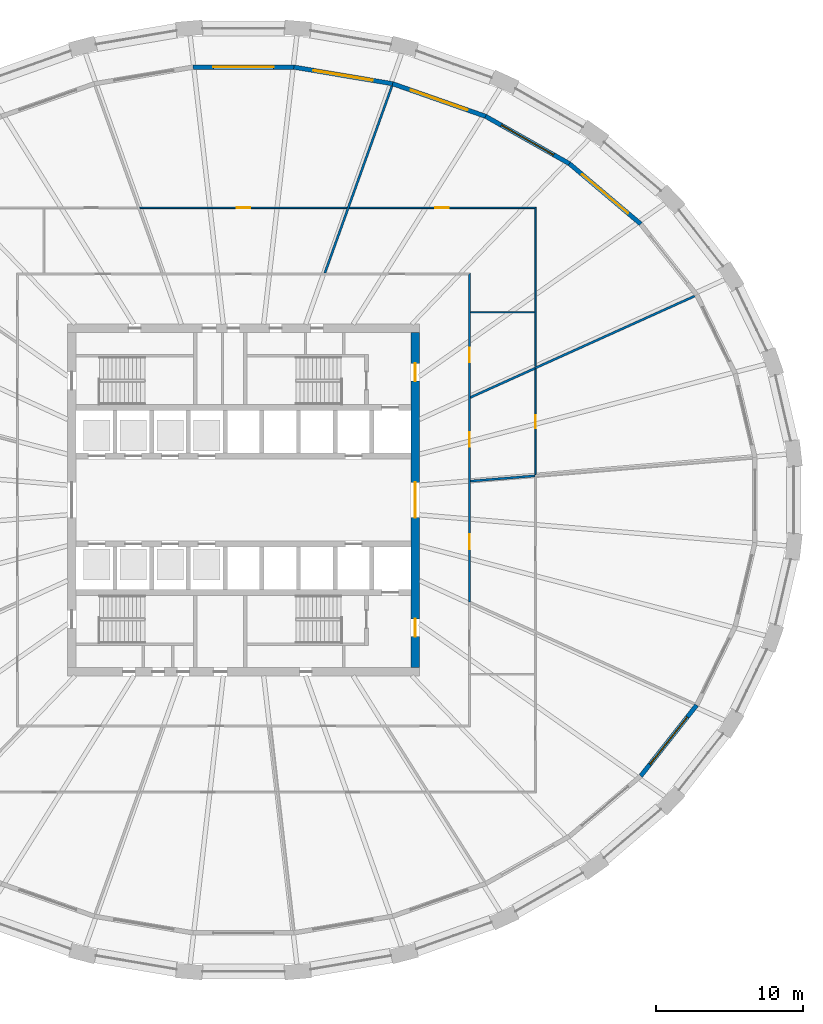
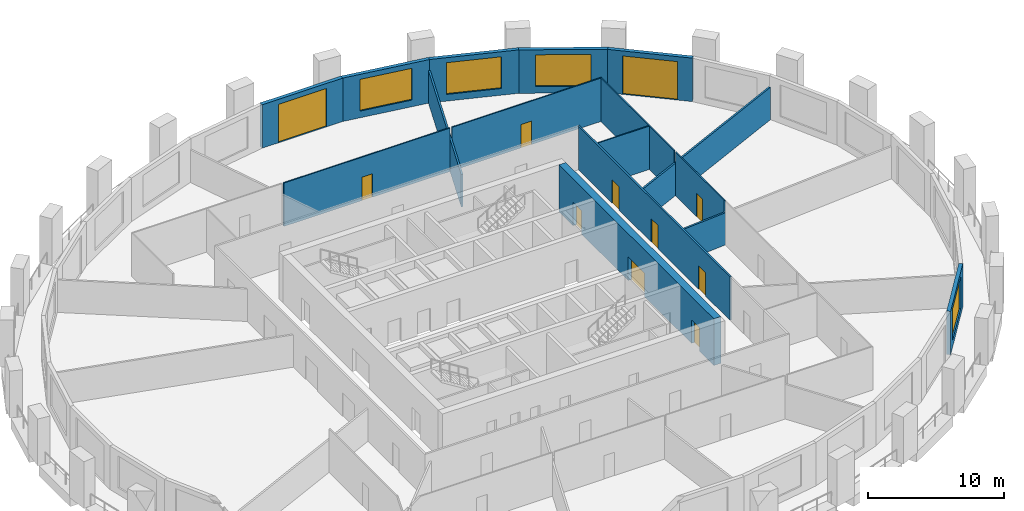
# One storey, part 7 of 11: 17 walls, 11 doors, 4 windows, 15 openings.
"""IFC4 building model written with IfcOpenShell, lengths in metres."""

from ifc_helpers import new_model, si_unit, direction, frame, frame_2d, origin, place, context, subcontext, project, spatial, polyline, rectangle, outline, extrude, material, layer, layer_set, type_object, element, fill, save


model = new_model("IFC4")

# Units and contexts
model_context = context("Model", 3, precision=1e-05, world=origin(), true_north=direction((0.0, 1.0)))
body_context = subcontext(model_context, "Body", "Model", "MODEL_VIEW")
ifc_project = project(units=[si_unit("LENGTHUNIT", "METRE"), si_unit("AREAUNIT", "SQUARE_METRE"), si_unit("VOLUMEUNIT", "CUBIC_METRE"), si_unit("PLANEANGLEUNIT", "RADIAN"), si_unit("MASSUNIT", "GRAM", prefix="KILO")], contexts=[model_context])

# Site, building, storey
site_placement = place(None, origin())
site = spatial("IfcSite", under=ifc_project, at=site_placement, CompositionType="ELEMENT")
building_placement = place(site_placement, origin())
building = spatial("IfcBuilding", under=site, at=building_placement, Name="Halqa Exchange Tower", CompositionType="ELEMENT")
storey_placement = place(building_placement, frame((0.0, 0.0, 36.10009765625)))
storey = spatial("IfcBuildingStorey", under=building, at=storey_placement, Name="L07", CompositionType="ELEMENT", Elevation=36.10009765625)

# Wall
ifc_material_1 = material(Name="Fire-rated gypsum board")
ifc_layer_1 = layer(ifc_material_1, 0.14990234375)
ifc_layer_set_1 = layer_set([ifc_layer_1], Name="Fire-rated gypsum board")
wall_type_1 = type_object("IfcWallType", Name="Fire partition EI 60 150", PredefinedType="PARTITIONING", material=ifc_layer_set_1)
wall_1_placement = place(storey_placement, frame((5.537841796875, 15.449951171875, 0.0), z_axis=(0.0, 0.0, 1.0), x_axis=(0.337949016046, 0.941164418448, 0.0)))
element("IfcWall", 1, at=wall_1_placement, inside=storey, type_object=wall_type_1, Name="L07-PWL-021", PredefinedType="PARTITIONING", context=body_context, shape_type="SweptSolid", body=[
    extrude(outline(polyline([(0.053466796875, -0.074951171875), (1.6376953125, -0.074951171875), (3.2216796875, -0.074951171875), (4.805908203125, -0.074951171875), (4.80810546875, -0.07421875), (4.808349609375, -0.074951171875), (6.55810546875, -0.074951171875), (8.3076171875, -0.074951171875), (10.057373046875, -0.074951171875), (11.80712890625, -0.074951171875), (13.556884765625, -0.074951171875), (13.556884765625, -0.067626953125), (13.556396484375, 0.00048828125), (13.54296875, 0.074951171875), (11.78515625, 0.074951171875), (10.027587890625, 0.074951171875), (8.269775390625, 0.074951171875), (6.511962890625, 0.074951171875), (4.754150390625, 0.074951171875), (4.660400390625, 0.041259765625), (4.648193359375, 0.074951171875), (3.098876953125, 0.074951171875), (1.54931640625, 0.074951171875), (0.0, 0.074951171875), (0.0, 0.07421875), (0.053466796875, -0.074951171875)])), origin(), (0.0, 0.0, 1.0), 2.909912109375),
])

# Wall, openings, doors
wall_2_placement = place(storey_placement, frame((15.39990234375, -6.9599609375, 0.0), z_axis=(0.0, 0.0, 1.0), x_axis=(0.0, 1.0, 0.0)))
wall_2 = element("IfcWall", 2, at=wall_2_placement, inside=storey, type_object=wall_type_1, Name="L07-PWL-027", PredefinedType="PARTITIONING", context=body_context, shape_type="SweptSolid", body=[
    extrude(outline(polyline([(0.0, -0.074951171875), (1.86962890625, -0.074951171875), (3.7392578125, -0.074951171875), (5.608642578125, -0.074951171875), (7.478271484375, -0.074951171875), (9.347900390625, -0.074951171875), (11.21728515625, -0.074951171875), (13.0869140625, -0.074951171875), (14.95654296875, -0.074951171875), (16.826171875, -0.074951171875), (18.69580078125, -0.074951171875), (20.565185546875, -0.074951171875), (22.434814453125, -0.074951171875), (22.284912109375, 0.074951171875), (20.427734375, 0.074951171875), (18.57080078125, 0.074951171875), (16.713623046875, 0.074951171875), (14.856689453125, 0.074951171875), (12.99951171875, 0.074951171875), (11.142578125, 0.074951171875), (9.285400390625, 0.074951171875), (7.42822265625, 0.074951171875), (5.5712890625, 0.074951171875), (3.714111328125, 0.074951171875), (1.857177734375, 0.074951171875), (0.0, 0.074951171875), (0.0, -0.074951171875)])), origin(), (0.0, 0.0, 1.0), 3.89990234375),
])
opening_1_placement = place(wall_2_placement, frame((3.6201171875, 0.0, 0.0)))
opening_1 = element("IfcOpeningElement", 3, at=opening_1_placement, cuts=wall_2, Name="Opening 02-12", PredefinedType="OPENING", context=body_context, shape_type="SweptSolid", body=[
    extrude(rectangle(XDim=1.0, YDim=2.10009765625, at=frame_2d((0.5, 1.050048828125))), frame((0.0, 0.0869140625, 0.0), z_axis=(0.0, -1.0, 0.0), x_axis=(1.0, 0.0, 0.0)), (0.0, 0.0, 1.0), 0.173828125),
])
opening_2_placement = place(wall_2_placement, frame((10.580078125, 0.0, 0.0)))
opening_2 = element("IfcOpeningElement", 4, at=opening_2_placement, cuts=wall_2, Name="Opening 02-13", PredefinedType="OPENING", context=body_context, shape_type="SweptSolid", body=[
    extrude(rectangle(XDim=1.0, YDim=2.10009765625, at=frame_2d((0.5, 1.050048828125))), frame((0.0, 0.0869140625, 0.0), z_axis=(0.0, -1.0, 0.0), x_axis=(1.0, 0.0, 0.0)), (0.0, 0.0, 1.0), 0.173828125),
])
opening_3_placement = place(wall_2_placement, frame((16.3349609375, 0.0, 0.0)))
opening_3 = element("IfcOpeningElement", 5, at=opening_3_placement, cuts=wall_2, Name="Opening 02-15", PredefinedType="OPENING", context=body_context, shape_type="SweptSolid", body=[
    extrude(rectangle(XDim=1.0, YDim=2.10009765625, at=frame_2d((0.5, 1.050048828125))), frame((0.0, 0.0869140625, 0.0), z_axis=(0.0, -1.0, 0.0), x_axis=(1.0, 0.0, 0.0)), (0.0, 0.0, 1.0), 0.173828125),
])
ifc_material_2 = material(Name="Steel fire door leaf", Category="steel")
door_type_1 = type_object("IfcDoorType", Name="Fire door FD30S 1000 x 2100", OperationType="SINGLE_SWING_LEFT", PredefinedType="DOOR", material=ifc_material_2)
door_1_placement = place(opening_1_placement, frame((1.0, 0.0, 0.0), z_axis=(0.0, 0.0, 1.0), x_axis=(-1.0, 0.0, 0.0)))
door_1 = element("IfcDoor", 6, at=door_1_placement, inside=storey, type_object=door_type_1, Name="L07-IDR-012", OperationType="SINGLE_SWING_LEFT", OverallHeight=2.10009765625, OverallWidth=1.0, PredefinedType="DOOR", context=body_context, shape_type="SweptSolid", body=[
    extrude(rectangle(XDim=1.0, YDim=2.10009765625, at=frame_2d((0.5, 1.050048828125))), frame((0.0, 0.02490234375, 0.0), z_axis=(0.0, -1.0, 0.0), x_axis=(1.0, 0.0, 0.0)), (0.0, 0.0, 1.0), 0.050048828125),
])
fill(opening_1, door_1)
door_2_placement = place(opening_2_placement, frame((1.0, 0.0, 0.0), z_axis=(0.0, 0.0, 1.0), x_axis=(-1.0, 0.0, 0.0)))
door_2 = element("IfcDoor", 7, at=door_2_placement, inside=storey, type_object=door_type_1, Name="L07-IDR-013", OperationType="SINGLE_SWING_LEFT", OverallHeight=2.10009765625, OverallWidth=1.0, PredefinedType="DOOR", context=body_context, shape_type="SweptSolid", body=[
    extrude(rectangle(XDim=1.0, YDim=2.10009765625, at=frame_2d((0.5, 1.050048828125))), frame((0.0, 0.02490234375, 0.0), z_axis=(0.0, -1.0, 0.0), x_axis=(1.0, 0.0, 0.0)), (0.0, 0.0, 1.0), 0.050048828125),
])
fill(opening_2, door_2)
door_3_placement = place(opening_3_placement, frame((1.0, 0.0, 0.0), z_axis=(0.0, 0.0, 1.0), x_axis=(-1.0, 0.0, 0.0)))
door_3 = element("IfcDoor", 8, at=door_3_placement, inside=storey, type_object=door_type_1, Name="L07-IDR-015", OperationType="SINGLE_SWING_RIGHT", OverallHeight=2.10009765625, OverallWidth=1.0, PredefinedType="DOOR", context=body_context, shape_type="SweptSolid", body=[
    extrude(rectangle(XDim=1.0, YDim=2.10009765625, at=frame_2d((0.5, 1.050048828125))), frame((0.0, 0.02490234375, 0.0), z_axis=(0.0, -1.0, 0.0), x_axis=(1.0, 0.0, 0.0)), (0.0, 0.0, 1.0), 0.050048828125),
])
fill(opening_3, door_3)

# Walls
wall_3_placement = place(storey_placement, frame((15.46923828125, 1.28564453125, 0.0), z_axis=(0.0, 0.0, 1.0), x_axis=(0.996634800256, 0.081969963512, 0.0)))
element("IfcWall", 9, at=wall_3_placement, inside=storey, type_object=wall_type_1, Name="L07-PWL-029", PredefinedType="PARTITIONING", context=body_context, shape_type="SweptSolid", body=[
    extrude(outline(polyline([(0.0, -0.074951171875), (1.463134765625, -0.074951171875), (2.92626953125, -0.074951171875), (4.389404296875, -0.074951171875), (4.389404296875, -0.07470703125), (4.392578125, -0.074951171875), (4.396240234375, -0.074951171875), (4.396240234375, 0.074951171875), (2.934814453125, 0.074951171875), (1.473388671875, 0.074951171875), (0.011962890625, 0.074951171875), (0.0, -0.0703125), (0.0, -0.074951171875)])), origin(), (0.0, 0.0, 1.0), 2.891845703125),
])
wall_4_placement = place(storey_placement, frame((15.444091796875, 6.97998046875, 0.0), z_axis=(0.0, 0.0, 1.0), x_axis=(0.911543776443, 0.411203044285, 0.0)))
element("IfcWall", 10, at=wall_4_placement, inside=storey, type_object=wall_type_1, Name="L07-PWL-030", PredefinedType="PARTITIONING", context=body_context, shape_type="SweptSolid", body=[
    extrude(outline(polyline([(0.0, -0.074951171875), (1.599853515625, -0.074951171875), (3.19970703125, -0.074951171875), (4.799560546875, -0.074951171875), (4.800048828125, -0.07373046875), (4.802490234375, -0.074951171875), (4.84228515625, -0.074951171875), (4.84228515625, 0.074951171875), (3.250732421875, 0.074951171875), (1.6591796875, 0.074951171875), (0.067626953125, 0.074951171875), (0.0, -0.074951171875)])), origin(), (0.0, 0.0, 1.0), 2.909912109375),
])
wall_5_placement = place(storey_placement, frame((19.8544921875, 8.9794921875, 0.0), z_axis=(0.0, 0.0, 1.0), x_axis=(0.911433390516, 0.411447657245, 0.0)))
element("IfcWall", 11, at=wall_5_placement, inside=storey, type_object=wall_type_1, Name="L07-PWL-039", PredefinedType="PARTITIONING", context=body_context, shape_type="SweptSolid", body=[
    extrude(outline(polyline([(11.947998046875, -0.074951171875), (11.947998046875, -0.06298828125), (11.946044921875, 0.00146484375), (11.927490234375, 0.074951171875), (9.962646484375, 0.074951171875), (7.998046875, 0.074951171875), (6.033203125, 0.074951171875), (4.068359375, 0.074951171875), (2.103515625, 0.074951171875), (0.138671875, 0.074951171875), (0.1376953125, 0.07275390625), (0.1328125, 0.074951171875), (0.0, 0.074951171875), (0.0, -0.043212890625), (0.070068359375, -0.074951171875), (2.0498046875, -0.074951171875), (4.029296875, -0.074951171875), (6.009033203125, -0.074951171875), (7.98876953125, -0.074951171875), (9.96826171875, -0.074951171875), (11.947998046875, -0.074951171875)])), origin(), (0.0, 0.0, 1.0), 2.909912109375),
])

# Wall, opening, door
ifc_material_3 = material(Name="Gypsum board")
ifc_layer_2 = layer(ifc_material_3, 0.10009765625)
ifc_layer_set_2 = layer_set([ifc_layer_2], Name="Gypsum board")
wall_type_2 = type_object("IfcWallType", Name="Partition 100 gypsum", PredefinedType="PARTITIONING", material=ifc_layer_set_2)
wall_6_placement = place(storey_placement, frame((-7.073974609375, 19.89990234375, 0.0), z_axis=(0.0, 0.0, 1.0), x_axis=(1.0, 0.0, 0.0)))
wall_6 = element("IfcWall", 12, at=wall_6_placement, inside=storey, type_object=wall_type_2, Name="L07-PWL-017", PredefinedType="PARTITIONING", context=body_context, shape_type="SweptSolid", body=[
    extrude(outline(polyline([(0.035888671875, -0.050048828125), (1.79541015625, -0.050048828125), (3.554931640625, -0.050048828125), (5.314453125, -0.050048828125), (7.073974609375, -0.050048828125), (8.83349609375, -0.050048828125), (10.593017578125, -0.050048828125), (12.3525390625, -0.050048828125), (14.112060546875, -0.050048828125), (14.14794921875, 0.050048828125), (14.14794921875, 0.050048828125), (12.37939453125, 0.050048828125), (10.61083984375, 0.050048828125), (8.842529296875, 0.050048828125), (7.073974609375, 0.050048828125), (5.305419921875, 0.050048828125), (3.537109375, 0.050048828125), (1.7685546875, 0.050048828125), (0.0, 0.050048828125), (0.0, 0.050048828125), (0.035888671875, -0.050048828125)])), origin(), (0.0, 0.0, 1.0), 3.89990234375),
])
opening_4_placement = place(wall_6_placement, frame((6.6240234375, 0.0, 0.0)))
opening_4 = element("IfcOpeningElement", 13, at=opening_4_placement, cuts=wall_6, Name="Opening 02-26", PredefinedType="OPENING", context=body_context, shape_type="SweptSolid", body=[
    extrude(rectangle(XDim=0.89990234375, YDim=2.10009765625, at=frame_2d((0.449951171875, 1.050048828125))), frame((0.0, 0.06201171875, 0.0), z_axis=(0.0, -1.0, 0.0), x_axis=(1.0, 0.0, 0.0)), (0.0, 0.0, 1.0), 0.1240234375),
])
ifc_material_4 = material(Name="Timber door leaf", Category="wood")
door_type_2 = type_object("IfcDoorType", Name="Door 900 x 2100", OperationType="SINGLE_SWING_LEFT", PredefinedType="DOOR", material=ifc_material_4)
door_4_placement = place(opening_4_placement, frame((0.89990234375, 0.0, 0.0), z_axis=(0.0, 0.0, 1.0), x_axis=(-1.0, 0.0, 0.0)))
door_4 = element("IfcDoor", 14, at=door_4_placement, inside=storey, type_object=door_type_2, Name="L07-IDR-026", OperationType="SINGLE_SWING_LEFT", OverallHeight=2.10009765625, OverallWidth=0.89990234375, PredefinedType="DOOR", context=body_context, shape_type="SweptSolid", body=[
    extrude(rectangle(XDim=0.89990234375, YDim=2.10009765625, at=frame_2d((0.449951171875, 1.050048828125))), frame((0.0, 0.02490234375, 0.0), z_axis=(0.0, -1.0, 0.0), x_axis=(1.0, 0.0, 0.0)), (0.0, 0.0, 1.0), 0.050048828125),
])
fill(opening_4, door_4)

wall_7_placement = place(storey_placement, frame((7.197998046875, 19.89990234375, 0.0), z_axis=(0.0, 0.0, 1.0), x_axis=(1.0, 0.0, 0.0)))
wall_7 = element("IfcWall", 15, at=wall_7_placement, inside=storey, type_object=wall_type_2, Name="L07-PWL-022", PredefinedType="PARTITIONING", context=body_context, shape_type="SweptSolid", body=[
    extrude(outline(polyline([(0.0, -0.050048828125), (1.807373046875, -0.050048828125), (3.61474609375, -0.050048828125), (5.422119140625, -0.050048828125), (7.229736328125, -0.050048828125), (9.037109375, -0.050048828125), (10.844482421875, -0.050048828125), (12.65185546875, -0.050048828125), (12.652099609375, -0.0498046875), (12.751953125, 0.050048828125), (10.935302734375, 0.050048828125), (9.11865234375, 0.050048828125), (7.302001953125, 0.050048828125), (5.4853515625, 0.050048828125), (3.668701171875, 0.050048828125), (1.85205078125, 0.050048828125), (0.035400390625, 0.050048828125), (0.0, -0.048583984375), (0.0, -0.050048828125)])), origin(), (0.0, 0.0, 1.0), 3.89990234375),
])
opening_5_placement = place(wall_7_placement, frame((5.8720703125, 0.0, 0.0)))
opening_5 = element("IfcOpeningElement", 16, at=opening_5_placement, cuts=wall_7, Name="Opening 02-25", PredefinedType="OPENING", context=body_context, shape_type="SweptSolid", body=[
    extrude(rectangle(XDim=0.89990234375, YDim=2.10009765625, at=frame_2d((0.449951171875, 1.050048828125))), frame((0.0, 0.06201171875, 0.0), z_axis=(0.0, -1.0, 0.0), x_axis=(1.0, 0.0, 0.0)), (0.0, 0.0, 1.0), 0.1240234375),
])
door_5_placement = place(opening_5_placement, frame((0.89990234375, 0.0, 0.0), z_axis=(0.0, 0.0, 1.0), x_axis=(-1.0, 0.0, 0.0)))
door_5 = element("IfcDoor", 17, at=door_5_placement, inside=storey, type_object=door_type_2, Name="L07-IDR-025", OperationType="SINGLE_SWING_LEFT", OverallHeight=2.10009765625, OverallWidth=0.89990234375, PredefinedType="DOOR", context=body_context, shape_type="SweptSolid", body=[
    extrude(rectangle(XDim=0.89990234375, YDim=2.10009765625, at=frame_2d((0.449951171875, 1.050048828125))), frame((0.0, 0.02490234375, 0.0), z_axis=(0.0, -1.0, 0.0), x_axis=(1.0, 0.0, 0.0)), (0.0, 0.0, 1.0), 0.050048828125),
])
fill(opening_5, door_5)

wall_8_placement = place(storey_placement, frame((19.89990234375, 8.93994140625, 0.0), z_axis=(0.0, 0.0, 1.0), x_axis=(0.0, -1.0, 0.0)))
wall_8 = element("IfcWall", 18, at=wall_8_placement, inside=storey, type_object=wall_type_2, Name="L07-PWL-037", PredefinedType="PARTITIONING", context=body_context, shape_type="SweptSolid", body=[
    extrude(outline(polyline([(7.20849609375, -0.050048828125), (7.20849609375, -0.045654296875), (7.20068359375, 0.050048828125), (5.400390625, 0.050048828125), (3.600341796875, 0.050048828125), (1.800048828125, 0.050048828125), (0.0, 0.050048828125), (0.0, 0.04931640625), (0.02880859375, -0.0146484375), (0.0, -0.027587890625), (0.0, -0.02783203125), (0.037353515625, -0.010986328125), (0.054931640625, -0.050048828125), (1.84326171875, -0.050048828125), (3.631591796875, -0.050048828125), (5.420166015625, -0.050048828125), (7.20849609375, -0.050048828125)])), origin(), (0.0, 0.0, 1.0), 3.89990234375),
])
opening_6_placement = place(wall_8_placement, frame((3.1650390625, 0.0, 0.0)))
opening_6 = element("IfcOpeningElement", 19, at=opening_6_placement, cuts=wall_8, Name="Opening 02-24", PredefinedType="OPENING", context=body_context, shape_type="SweptSolid", body=[
    extrude(rectangle(XDim=0.89990234375, YDim=2.10009765625, at=frame_2d((0.449951171875, 1.050048828125))), frame((0.0, 0.06201171875, 0.0), z_axis=(0.0, -1.0, 0.0), x_axis=(1.0, 0.0, 0.0)), (0.0, 0.0, 1.0), 0.1240234375),
])
door_6_placement = place(opening_6_placement, frame((0.89990234375, 0.0, 0.0), z_axis=(0.0, 0.0, 1.0), x_axis=(-1.0, 0.0, 0.0)))
door_6 = element("IfcDoor", 20, at=door_6_placement, inside=storey, type_object=door_type_2, Name="L07-IDR-024", OperationType="SINGLE_SWING_LEFT", OverallHeight=2.10009765625, OverallWidth=0.89990234375, PredefinedType="DOOR", context=body_context, shape_type="SweptSolid", body=[
    extrude(rectangle(XDim=0.89990234375, YDim=2.10009765625, at=frame_2d((0.449951171875, 1.050048828125))), frame((0.0, 0.02490234375, 0.0), z_axis=(0.0, -1.0, 0.0), x_axis=(1.0, 0.0, 0.0)), (0.0, 0.0, 1.0), 0.050048828125),
])
fill(opening_6, door_6)

# Walls
wall_9_placement = place(storey_placement, frame((19.89990234375, 9.1025390625, 0.0), z_axis=(0.0, 0.0, 1.0), x_axis=(0.0, 1.0, 0.0)))
element("IfcWall", 21, at=wall_9_placement, inside=storey, type_object=wall_type_2, Name="L07-PWL-038", PredefinedType="PARTITIONING", context=body_context, shape_type="SweptSolid", body=[
    extrude(outline(polyline([(0.0, -0.050048828125), (1.807861328125, -0.050048828125), (3.61572265625, -0.050048828125), (5.423828125, -0.050048828125), (7.231689453125, -0.050048828125), (9.03955078125, -0.050048828125), (10.847412109375, -0.050048828125), (10.747314453125, 0.050048828125), (8.9560546875, 0.050048828125), (7.164794921875, 0.050048828125), (5.37353515625, 0.050048828125), (3.58251953125, 0.050048828125), (1.791259765625, 0.050048828125), (0.0, 0.050048828125), (0.0, -0.050048828125)])), origin(), (0.0, 0.0, 1.0), 3.89990234375),
])
wall_10_placement = place(storey_placement, frame((19.85009765625, 12.7900390625, 0.0), z_axis=(0.0, 0.0, 1.0), x_axis=(-1.0, 0.0, 0.0)))
element("IfcWall", 22, at=wall_10_placement, inside=storey, type_object=wall_type_2, Name="L07-PWL-040", PredefinedType="PARTITIONING", context=body_context, shape_type="SweptSolid", body=[
    extrude(rectangle(XDim=4.375, YDim=0.10009765625, at=frame_2d((2.1875, 0.0))), origin(), (0.0, 0.0, 1.0), 3.89990234375),
])

# Wall, openings, doors
ifc_material_5 = material(Name="Concrete C80/95", Category="concrete")
ifc_layer_3 = layer(ifc_material_5, 0.60009765625)
ifc_layer_set_3 = layer_set([ifc_layer_3], Name="Concrete C80/95")
wall_type_3 = type_object("IfcWallType", Name="RC core wall 600 C80/95", PredefinedType="SHEAR", material=ifc_layer_set_3)
wall_11_placement = place(storey_placement, frame((11.699951171875, -11.39990234375, 0.0), z_axis=(0.0, 0.0, 1.0), x_axis=(0.0, 1.0, 0.0)))
wall_11 = element("IfcWall", 23, at=wall_11_placement, inside=storey, type_object=wall_type_3, Name="Core wall east", PredefinedType="SHEAR", context=body_context, shape_type="SweptSolid", body=[
    extrude(rectangle(XDim=22.7998046875, YDim=0.60009765625, at=frame_2d((11.39990234375, 0.0))), origin(), (0.0, 0.0, 1.0), 4.199951171875),
])
opening_7_placement = place(wall_11_placement, frame((10.199951171875, 0.0, 0.0)))
opening_7 = element("IfcOpeningElement", 24, at=opening_7_placement, cuts=wall_11, Name="Opening T02-C14", PredefinedType="OPENING", context=body_context, shape_type="SweptSolid", body=[
    extrude(rectangle(XDim=2.39990234375, YDim=2.10009765625, at=frame_2d((1.199951171875, 1.050048828125))), frame((0.0, 0.31201171875, 0.0), z_axis=(0.0, -1.0, 0.0), x_axis=(1.0, 0.0, 0.0)), (0.0, 0.0, 1.0), 0.6240234375),
])
opening_8_placement = place(wall_11_placement, frame((19.5, 0.0, 0.0)))
opening_8 = element("IfcOpeningElement", 25, at=opening_8_placement, cuts=wall_11, Name="Opening T02-C19", PredefinedType="OPENING", context=body_context, shape_type="SweptSolid", body=[
    extrude(rectangle(XDim=1.199951171875, YDim=2.10009765625, at=frame_2d((0.60009765625, 1.050048828125))), frame((0.0, 0.31201171875, 0.0), z_axis=(0.0, -1.0, 0.0), x_axis=(1.0, 0.0, 0.0)), (0.0, 0.0, 1.0), 0.6240234375),
])
opening_9_placement = place(wall_11_placement, frame((2.10009765625, 0.0, 0.0)))
opening_9 = element("IfcOpeningElement", 26, at=opening_9_placement, cuts=wall_11, Name="Opening T02-C20", PredefinedType="OPENING", context=body_context, shape_type="SweptSolid", body=[
    extrude(rectangle(XDim=1.199951171875, YDim=2.10009765625, at=frame_2d((0.60009765625, 1.050048828125))), frame((0.0, 0.31201171875, 0.0), z_axis=(0.0, -1.0, 0.0), x_axis=(1.0, 0.0, 0.0)), (0.0, 0.0, 1.0), 0.6240234375),
])
door_type_3 = type_object("IfcDoorType", Name="Firefighting lobby door FD90 1200 x 2100", OperationType="SINGLE_SWING_RIGHT", PredefinedType="DOOR", material=ifc_material_2)
door_7_placement = place(opening_8_placement, origin())
door_7 = element("IfcDoor", 27, at=door_7_placement, inside=storey, type_object=door_type_3, Name="Firefighting lobby door", OperationType="SINGLE_SWING_RIGHT", OverallHeight=2.10009765625, OverallWidth=1.199951171875, PredefinedType="DOOR", context=body_context, shape_type="SweptSolid", body=[
    extrude(rectangle(XDim=1.199951171875, YDim=2.10009765625, at=frame_2d((0.60009765625, 1.050048828125))), frame((0.0, 0.02490234375, 0.0), z_axis=(0.0, -1.0, 0.0), x_axis=(1.0, 0.0, 0.0)), (0.0, 0.0, 1.0), 0.050048828125),
])
fill(opening_8, door_7)
door_8_placement = place(opening_9_placement, origin())
door_8 = element("IfcDoor", 28, at=door_8_placement, inside=storey, type_object=door_type_3, Name="Firefighting lobby door", OperationType="SINGLE_SWING_LEFT", OverallHeight=2.10009765625, OverallWidth=1.199951171875, PredefinedType="DOOR", context=body_context, shape_type="SweptSolid", body=[
    extrude(rectangle(XDim=1.199951171875, YDim=2.10009765625, at=frame_2d((0.60009765625, 1.050048828125))), frame((0.0, 0.02490234375, 0.0), z_axis=(0.0, -1.0, 0.0), x_axis=(1.0, 0.0, 0.0)), (0.0, 0.0, 1.0), 0.050048828125),
])
fill(opening_9, door_8)
door_type_4 = type_object("IfcDoorType", Name="Lobby double door FD60 2400 x 2100", OperationType="DOUBLE_DOOR_SINGLE_SWING", PredefinedType="DOOR", material=ifc_material_2)
door_9_placement = place(opening_7_placement, origin())
door_9 = element("IfcDoor", 29, at=door_9_placement, inside=storey, type_object=door_type_4, Name="Lift lobby double door", OperationType="DOUBLE_DOOR_SINGLE_SWING", OverallHeight=2.10009765625, OverallWidth=2.39990234375, PredefinedType="DOOR", context=body_context, shape_type="SweptSolid", body=[
    extrude(rectangle(XDim=2.39990234375, YDim=2.10009765625, at=frame_2d((1.199951171875, 1.050048828125))), frame((0.0, 0.02490234375, 0.0), z_axis=(0.0, -1.0, 0.0), x_axis=(1.0, 0.0, 0.0)), (0.0, 0.0, 1.0), 0.050048828125),
])
fill(opening_7, door_9)

# Wall, opening, door
ifc_material_6 = material(Name="Limestone cladding", Category="masonry")
ifc_layer_4 = layer(ifc_material_6, 0.0400390625)
ifc_material_7 = material(Name="Ventilated cavity")
ifc_layer_5 = layer(ifc_material_7, 0.030029296875, ventilated=True)
ifc_material_8 = material(Name="Mineral wool insulation")
ifc_layer_6 = layer(ifc_material_8, 0.10009765625)
ifc_material_9 = material(Name="Concrete C30/37", Category="concrete")
ifc_layer_7 = layer(ifc_material_9, 0.10009765625)
ifc_material_10 = material(Name="Internal plaster")
ifc_layer_8 = layer(ifc_material_10, 0.030029296875)
ifc_layer_set_4 = layer_set([ifc_layer_4, ifc_layer_5, ifc_layer_6, ifc_layer_7, ifc_layer_8], Name="Stone-faced insulated wall 300")
wall_type_4 = type_object("IfcWallType", Name="Stone-faced insulated wall 300", PredefinedType="STANDARD", material=ifc_layer_set_4)
wall_12_placement = place(storey_placement, frame((27.053955078125, 18.8056640625, 0.0), z_axis=(0.0, 0.0, 1.0), x_axis=(-0.763577077796, 0.645716691951, 0.0)))
wall_12 = element("IfcWall", 30, at=wall_12_placement, inside=storey, type_object=wall_type_4, Name="Glass-line wall 4", PredefinedType="STANDARD", context=body_context, shape_type="SweptSolid", body=[
    extrude(outline(polyline([(-0.01513671875, -0.14990234375), (6.371337890625, -0.14990234375), (6.343017578125, 0.14990234375), (0.01513671875, 0.14990234375), (-0.01513671875, -0.14990234375)])), origin(), (0.0, 0.0, 1.0), 3.89990234375),
])
opening_10_placement = place(wall_12_placement, frame((1.128662109375, 0.0, 0.0)))
opening_10 = element("IfcOpeningElement", 31, at=opening_10_placement, cuts=wall_12, Name="Opening LG-F1-01", PredefinedType="OPENING", context=body_context, shape_type="SweptSolid", body=[
    extrude(rectangle(XDim=4.10009765625, YDim=3.449951171875, at=frame_2d((2.050048828125, 1.72509765625))), frame((0.0, 0.162109375, 0.0), z_axis=(0.0, -1.0, 0.0), x_axis=(1.0, 0.0, 0.0)), (0.0, 0.0, 1.0), 0.323974609375),
])
ifc_material_11 = material(Name="Clear low-emissivity glass in aluminium frame", Category="aluminium")
door_type_5 = type_object("IfcDoorType", Name="Glazed sliding loggia door 4100 x 3450", OperationType="DOUBLE_DOOR_SLIDING", PredefinedType="DOOR", material=ifc_material_11)
door_10_placement = place(opening_10_placement, origin())
door_10 = element("IfcDoor", 32, at=door_10_placement, inside=storey, type_object=door_type_5, Name="Loggia door 1", OperationType="DOUBLE_DOOR_SLIDING", OverallHeight=3.449951171875, OverallWidth=4.10009765625, PredefinedType="DOOR", context=body_context, shape_type="SweptSolid", body=[
    extrude(rectangle(XDim=4.10009765625, YDim=3.449951171875, at=frame_2d((2.050048828125, 1.72509765625))), frame((0.0, 0.02490234375, 0.0), z_axis=(0.0, -1.0, 0.0), x_axis=(1.0, 0.0, 0.0)), (0.0, 0.0, 1.0), 0.050048828125),
])
fill(opening_10, door_10)

# Wall, opening, window
wall_13_placement = place(storey_placement, frame((22.19970703125, 22.91064453125, 0.0), z_axis=(0.0, 0.0, 1.0), x_axis=(-0.87061279013, 0.491968870623, 0.0)))
wall_13 = element("IfcWall", 33, at=wall_13_placement, inside=storey, type_object=wall_type_4, Name="Glass-line wall 5", PredefinedType="STANDARD", context=body_context, shape_type="SweptSolid", body=[
    extrude(outline(polyline([(-0.01416015625, -0.14990234375), (6.56689453125, -0.14990234375), (6.5400390625, 0.14990234375), (0.01416015625, 0.14990234375), (-0.01416015625, -0.14990234375)])), origin(), (0.0, 0.0, 1.0), 3.89990234375),
])
opening_11_placement = place(wall_13_placement, frame((1.226806640625, 0.0, 0.60009765625)))
opening_11 = element("IfcOpeningElement", 34, at=opening_11_placement, cuts=wall_13, Name="Opening W-F1-05", PredefinedType="OPENING", context=body_context, shape_type="SweptSolid", body=[
    extrude(rectangle(XDim=4.10009765625, YDim=2.85009765625, at=frame_2d((2.050048828125, 1.425048828125))), frame((0.0, 0.162109375, 0.0), z_axis=(0.0, -1.0, 0.0), x_axis=(1.0, 0.0, 0.0)), (0.0, 0.0, 1.0), 0.323974609375),
])
window_type = type_object("IfcWindowType", Name="Fixed clear glazed window 4100 x 2850", PartitioningType="TRIPLE_PANEL_VERTICAL", PredefinedType="WINDOW", material=ifc_material_11)
window_1_placement = place(opening_11_placement, origin())
window_1 = element("IfcWindow", 35, at=window_1_placement, inside=storey, type_object=window_type, Name="Window 1", OverallHeight=2.85009765625, OverallWidth=4.10009765625, PartitioningType="TRIPLE_PANEL_VERTICAL", PredefinedType="WINDOW", context=body_context, shape_type="SweptSolid", body=[
    extrude(rectangle(XDim=4.10009765625, YDim=2.85009765625, at=frame_2d((2.050048828125, 1.425048828125))), frame((0.0, 0.030029296875, 0.0), z_axis=(0.0, -1.0, 0.0), x_axis=(1.0, 0.0, 0.0)), (0.0, 0.0, 1.0), 0.06005859375),
])
fill(opening_11, window_1)

wall_14_placement = place(storey_placement, frame((16.494140625, 26.134765625, 0.0), z_axis=(0.0, 0.0, 1.0), x_axis=(-0.943778979427, 0.330577128657, 0.0)))
wall_14 = element("IfcWall", 36, at=wall_14_placement, inside=storey, type_object=wall_type_4, Name="Glass-line wall 6", PredefinedType="STANDARD", context=body_context, shape_type="SweptSolid", body=[
    extrude(outline(polyline([(-0.013427734375, -0.14990234375), (6.72802734375, -0.14990234375), (6.70263671875, 0.14990234375), (0.013427734375, 0.14990234375), (-0.013427734375, -0.14990234375)])), origin(), (0.0, 0.0, 1.0), 3.89990234375),
])
opening_12_placement = place(wall_14_placement, frame((1.3076171875, 0.0, 0.60009765625)))
opening_12 = element("IfcOpeningElement", 37, at=opening_12_placement, cuts=wall_14, Name="Opening W-F1-06", PredefinedType="OPENING", context=body_context, shape_type="SweptSolid", body=[
    extrude(rectangle(XDim=4.10009765625, YDim=2.85009765625, at=frame_2d((2.050048828125, 1.425048828125))), frame((0.0, 0.162109375, 0.0), z_axis=(0.0, -1.0, 0.0), x_axis=(1.0, 0.0, 0.0)), (0.0, 0.0, 1.0), 0.323974609375),
])
window_2_placement = place(opening_12_placement, origin())
window_2 = element("IfcWindow", 38, at=window_2_placement, inside=storey, type_object=window_type, Name="Window 1", OverallHeight=2.85009765625, OverallWidth=4.10009765625, PartitioningType="TRIPLE_PANEL_VERTICAL", PredefinedType="WINDOW", context=body_context, shape_type="SweptSolid", body=[
    extrude(rectangle(XDim=4.10009765625, YDim=2.85009765625, at=frame_2d((2.050048828125, 1.425048828125))), frame((0.0, 0.030029296875, 0.0), z_axis=(0.0, -1.0, 0.0), x_axis=(1.0, 0.0, 0.0)), (0.0, 0.0, 1.0), 0.06005859375),
])
fill(opening_12, window_2)

wall_15_placement = place(storey_placement, frame((10.15625, 28.354736328125, 0.0), z_axis=(0.0, 0.0, 1.0), x_axis=(-0.986145179906, 0.165884550659, 0.0)))
wall_15 = element("IfcWall", 39, at=wall_15_placement, inside=storey, type_object=wall_type_4, Name="Glass-line wall 7", PredefinedType="STANDARD", context=body_context, shape_type="SweptSolid", body=[
    extrude(outline(polyline([(-0.0126953125, -0.14990234375), (6.833984375, -0.14990234375), (6.80908203125, 0.14990234375), (0.0126953125, 0.14990234375), (-0.0126953125, -0.14990234375)])), origin(), (0.0, 0.0, 1.0), 3.89990234375),
])
opening_13_placement = place(wall_15_placement, frame((1.36083984375, 0.0, 0.60009765625)))
opening_13 = element("IfcOpeningElement", 40, at=opening_13_placement, cuts=wall_15, Name="Opening W-F1-07", PredefinedType="OPENING", context=body_context, shape_type="SweptSolid", body=[
    extrude(rectangle(XDim=4.10009765625, YDim=2.85009765625, at=frame_2d((2.050048828125, 1.425048828125))), frame((0.0, 0.162109375, 0.0), z_axis=(0.0, -1.0, 0.0), x_axis=(1.0, 0.0, 0.0)), (0.0, 0.0, 1.0), 0.323974609375),
])
window_3_placement = place(opening_13_placement, origin())
window_3 = element("IfcWindow", 41, at=window_3_placement, inside=storey, type_object=window_type, Name="Window 1", OverallHeight=2.85009765625, OverallWidth=4.10009765625, PartitioningType="TRIPLE_PANEL_VERTICAL", PredefinedType="WINDOW", context=body_context, shape_type="SweptSolid", body=[
    extrude(rectangle(XDim=4.10009765625, YDim=2.85009765625, at=frame_2d((2.050048828125, 1.425048828125))), frame((0.0, 0.030029296875, 0.0), z_axis=(0.0, -1.0, 0.0), x_axis=(1.0, 0.0, 0.0)), (0.0, 0.0, 1.0), 0.06005859375),
])
fill(opening_13, window_3)

# Wall, opening, door
wall_16_placement = place(storey_placement, frame((3.42919921875, 29.486328125, 0.0), z_axis=(0.0, 0.0, 1.0), x_axis=(-1.0, 0.0, 0.0)))
wall_16 = element("IfcWall", 42, at=wall_16_placement, inside=storey, type_object=wall_type_4, Name="Glass-line wall 8", PredefinedType="STANDARD", context=body_context, shape_type="SweptSolid", body=[
    extrude(outline(polyline([(-0.012451171875, -0.14990234375), (6.870849609375, -0.14990234375), (6.845947265625, 0.14990234375), (0.012451171875, 0.14990234375), (-0.012451171875, -0.14990234375)])), origin(), (0.0, 0.0, 1.0), 3.89990234375),
])
opening_14_placement = place(wall_16_placement, frame((1.379150390625, 0.0, 0.0)))
opening_14 = element("IfcOpeningElement", 43, at=opening_14_placement, cuts=wall_16, Name="Opening LG-F1-02", PredefinedType="OPENING", context=body_context, shape_type="SweptSolid", body=[
    extrude(rectangle(XDim=4.10009765625, YDim=3.449951171875, at=frame_2d((2.050048828125, 1.72509765625))), frame((0.0, 0.162109375, 0.0), z_axis=(0.0, -1.0, 0.0), x_axis=(1.0, 0.0, 0.0)), (0.0, 0.0, 1.0), 0.323974609375),
])
door_11_placement = place(opening_14_placement, origin())
door_11 = element("IfcDoor", 44, at=door_11_placement, inside=storey, type_object=door_type_5, Name="Loggia door 2", OperationType="DOUBLE_DOOR_SLIDING", OverallHeight=3.449951171875, OverallWidth=4.10009765625, PredefinedType="DOOR", context=body_context, shape_type="SweptSolid", body=[
    extrude(rectangle(XDim=4.10009765625, YDim=3.449951171875, at=frame_2d((2.050048828125, 1.72509765625))), frame((0.0, 0.02490234375, 0.0), z_axis=(0.0, -1.0, 0.0), x_axis=(1.0, 0.0, 0.0)), (0.0, 0.0, 1.0), 0.050048828125),
])
fill(opening_14, door_11)

# Wall, opening, window
wall_17_placement = place(storey_placement, frame((27.053955078125, -18.8056640625, 0.0), z_axis=(0.0, 0.0, 1.0), x_axis=(0.61992334328, 0.784662378642, 0.0)))
wall_17 = element("IfcWall", 45, at=wall_17_placement, inside=storey, type_object=wall_type_4, Name="Glass-line wall 29", PredefinedType="STANDARD", context=body_context, shape_type="SweptSolid", body=[
    extrude(outline(polyline([(-0.01513671875, -0.14990234375), (6.1708984375, -0.14990234375), (6.138671875, 0.14990234375), (0.01513671875, 0.14990234375), (-0.01513671875, -0.14990234375)])), origin(), (0.0, 0.0, 1.0), 3.89990234375),
])
opening_15_placement = place(wall_17_placement, frame((1.02734375, 0.0, 0.60009765625)))
opening_15 = element("IfcOpeningElement", 46, at=opening_15_placement, cuts=wall_17, Name="Opening W-F1-29", PredefinedType="OPENING", context=body_context, shape_type="SweptSolid", body=[
    extrude(rectangle(XDim=4.10009765625, YDim=2.85009765625, at=frame_2d((2.050048828125, 1.425048828125))), frame((0.0, 0.162109375, 0.0), z_axis=(0.0, -1.0, 0.0), x_axis=(1.0, 0.0, 0.0)), (0.0, 0.0, 1.0), 0.323974609375),
])
window_4_placement = place(opening_15_placement, origin())
window_4 = element("IfcWindow", 47, at=window_4_placement, inside=storey, type_object=window_type, Name="Window 1", OverallHeight=2.85009765625, OverallWidth=4.10009765625, PartitioningType="TRIPLE_PANEL_VERTICAL", PredefinedType="WINDOW", context=body_context, shape_type="SweptSolid", body=[
    extrude(rectangle(XDim=4.10009765625, YDim=2.85009765625, at=frame_2d((2.050048828125, 1.425048828125))), frame((0.0, 0.030029296875, 0.0), z_axis=(0.0, -1.0, 0.0), x_axis=(1.0, 0.0, 0.0)), (0.0, 0.0, 1.0), 0.06005859375),
])
fill(opening_15, window_4)

save(model, "model.ifc")
